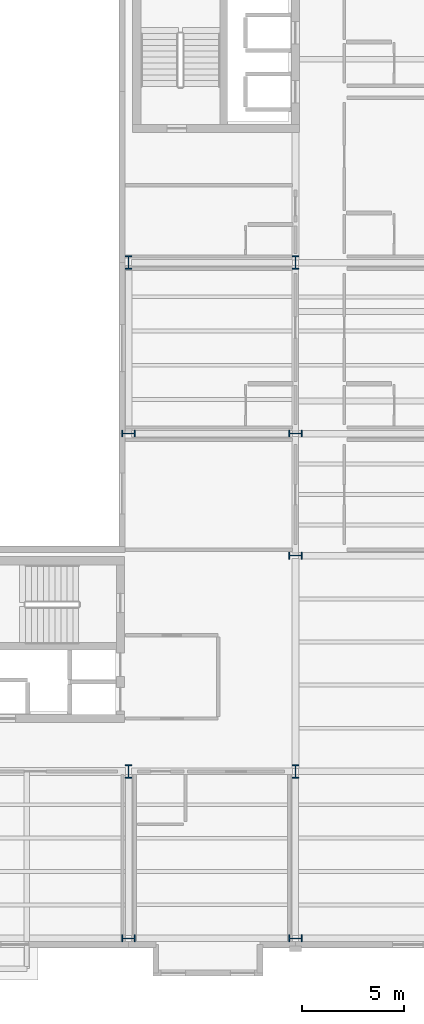
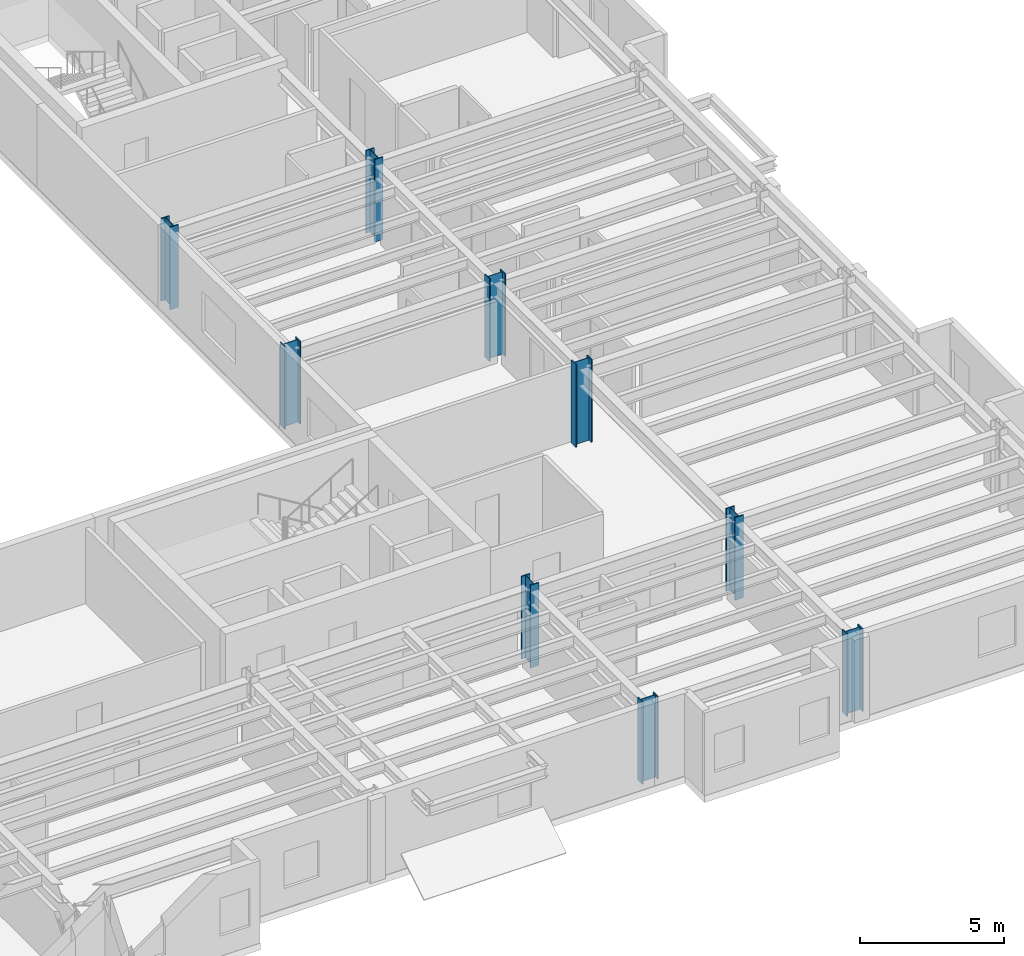
# One storey, part 2 of 23: 9 columns.
"""IFC4 building model written with IfcOpenShell, lengths in metres."""

import ifcopenshell
import ifcopenshell.guid

model = None  # the IFC model being written
_history = None  # IfcOwnerHistory: only IFC2X3 demands one
_inside = {}  # id of a spatial element -> (the spatial element, [elements in it])
_under = {}  # id of a project, library or spatial element -> (it, [spatial elements below it])
_declared = {}  # id of a project -> (the project, [libraries it declares])
_typed = {}  # id of a type object -> (the type object, [elements of that type])
_made_of = {}  # id of a material, layer set ... -> (it, [elements and type objects made of it])


def new_model(schema):
    """Start an empty IFC model of exactly this schema.

    Asked for "IFC4X3", IfcOpenShell would pick the latest addendum, in which some entities
    have other attributes; the version numbers below select the first issue.
    IFC2X3 requires an IfcOwnerHistory on every rooted entity: one is made here for all.
    """
    global model, _history
    if schema == "IFC4X3":
        model = ifcopenshell.file(schema_version=(4, 3, 0, 0))
    else:
        model = ifcopenshell.file(schema=schema)
    _inside.clear()
    _under.clear()
    _declared.clear()
    _typed.clear()
    _made_of.clear()
    _history = None
    if model.schema == "IFC2X3":
        org = make("IfcOrganization", Name="unknown")
        user = make(
            "IfcPersonAndOrganization",
            ThePerson=make("IfcPerson", FamilyName="unknown"),
            TheOrganization=org,
        )
        app = make(
            "IfcApplication",
            ApplicationDeveloper=org,
            Version="unknown",
            ApplicationFullName="unknown",
            ApplicationIdentifier="unknown",
        )
        _history = make(
            "IfcOwnerHistory",
            OwningUser=user,
            OwningApplication=app,
            ChangeAction="ADDED",
            CreationDate=0,
        )
    return model


def make(cls, **values):
    """One entity of the class cls with the attributes given. An attribute that is None is left unset."""
    return model.create_entity(
        cls, **{name: value for name, value in values.items() if value is not None}
    )


def rooted(cls, **values):
    """An entity with a GlobalId (a new one), such as an element, a storey or a relation."""
    return make(cls, GlobalId=ifcopenshell.guid.new(), OwnerHistory=_history, **values)


def si_unit(unit_type, name, prefix=None):
    """IfcSIUnit, for example si_unit("LENGTHUNIT", "METRE", prefix="MILLI")."""
    return make("IfcSIUnit", UnitType=unit_type, Prefix=prefix, Name=name)


def assignment(units):
    """IfcUnitAssignment: the units of a project."""
    return None if units is None else make("IfcUnitAssignment", Units=units)


def point(xyz):
    """IfcCartesianPoint."""
    return None if xyz is None else make("IfcCartesianPoint", Coordinates=xyz)


def direction(xyz):
    """IfcDirection."""
    return None if xyz is None else make("IfcDirection", DirectionRatios=xyz)


def frame(location, z_axis=None, x_axis=None):
    """IfcAxis2Placement3D, a coordinate frame: its origin and axes. An axis left out is left unset."""
    return make(
        "IfcAxis2Placement3D",
        Location=point(location),
        Axis=direction(z_axis),
        RefDirection=direction(x_axis),
    )


def frame_2d(location, x_axis=None):
    """IfcAxis2Placement2D, a coordinate frame in the plane: its origin and x axis."""
    return make(
        "IfcAxis2Placement2D", Location=point(location), RefDirection=direction(x_axis)
    )


def origin():
    """The frame at (0, 0, 0) with its axes left unset."""
    return frame((0.0, 0.0, 0.0))


def origin_2d():
    """The frame at (0, 0) in the plane with its x axis left unset."""
    return frame_2d((0.0, 0.0))


def place(relative_to, where):
    """IfcLocalPlacement: puts the frame where relative to a parent placement (None: the world)."""
    return make(
        "IfcLocalPlacement", PlacementRelTo=relative_to, RelativePlacement=where
    )


def context(
    kind, dimensions, precision=None, world=None, true_north=None, identifier=None
):
    """IfcGeometricRepresentationContext, for example the 3D "Model" context."""
    return make(
        "IfcGeometricRepresentationContext",
        ContextIdentifier=identifier,
        ContextType=kind,
        CoordinateSpaceDimension=dimensions,
        Precision=precision,
        WorldCoordinateSystem=world,
        TrueNorth=true_north,
    )


def subcontext(parent, identifier, kind, view, scale=None):
    """IfcGeometricRepresentationSubContext, for example "Body" below "Model"."""
    return make(
        "IfcGeometricRepresentationSubContext",
        ContextIdentifier=identifier,
        ContextType=kind,
        ParentContext=parent,
        TargetScale=scale,
        TargetView=view,
    )


def project(units=None, contexts=None):
    """IfcProject with its units and contexts."""
    return rooted(
        "IfcProject",
        Name="project",
        RepresentationContexts=contexts,
        UnitsInContext=assignment(units),
    )


def spatial(cls, under=None, at=None, **own):
    """A site, building, storey or space (cls), placed at a placement, below another one or the project."""
    s = rooted(cls, ObjectPlacement=at, **own)
    if under is not None:
        _under.setdefault(under.id(), (under, []))[1].append(s)
    return s


def profile(cls, at=None, kind="AREA", **sizes):
    """A parametric profile (cls). Its sizes go by their IFC names, for example OverallWidth=200.0."""
    return make(cls, ProfileType=kind, Position=at, **sizes)


def i_section(**sizes):
    """IfcIShapeProfileDef."""
    return profile("IfcIShapeProfileDef", **sizes)


def extrude(swept, where, along, depth):
    """IfcExtrudedAreaSolid: the profile swept, set in the frame where, extruded along a direction by depth."""
    return make(
        "IfcExtrudedAreaSolid",
        SweptArea=swept,
        Position=where,
        ExtrudedDirection=direction(along),
        Depth=depth,
    )


def shape(context_of_items, identifier, shape_type, items):
    """IfcShapeRepresentation: the items that make up one representation, for example the "Body"."""
    return make(
        "IfcShapeRepresentation",
        ContextOfItems=context_of_items,
        RepresentationIdentifier=identifier,
        RepresentationType=shape_type,
        Items=items,
    )


def material(Name=None, Category=None):
    """IfcMaterial."""
    return make("IfcMaterial", Name=Name, Category=Category)


def material_profile(
    of_material, cross_section, Name=None, Category=None, Priority=None
):
    """IfcMaterialProfile: a cross section and its material."""
    return make(
        "IfcMaterialProfile",
        Name=Name,
        Material=of_material,
        Profile=cross_section,
        Priority=Priority,
        Category=Category,
    )


def profile_set(profiles, Name=None, composite=None):
    """IfcMaterialProfileSet."""
    return make(
        "IfcMaterialProfileSet",
        Name=Name,
        MaterialProfiles=profiles,
        CompositeProfile=composite,
    )


def made_of(thing, what):
    """Note that an element or type object is made of a material, layer set ...; save() writes the relation."""
    if what is not None:
        _made_of.setdefault(what.id(), (what, []))[1].append(thing)
    return thing


def type_object(cls, material=None, **own):
    """A type object (cls), such as IfcWallType, which elements share."""
    return made_of(rooted(cls, **own), material)


def element(
    cls,
    number,
    at=None,
    inside=None,
    cuts=None,
    type_object=None,
    material=None,
    context=None,
    identifier="Body",
    shape_type=None,
    held_by="IfcProductDefinitionShape",
    body=None,
    shapes=None,
    **own,
):
    """One element of the class cls, such as IfcWall. Its Tag is "e" and its number.

    at: its placement. inside: the storey or other place that contains it. cuts: it is an
    opening in that element (IfcRelVoidsElement). A single representation is given by context,
    identifier, shape_type and body (its items); several are given by shapes. held_by: the class
    of the entity that holds the representations. save() writes the other relations.
    """
    e = rooted(cls, Tag="e%d" % number, ObjectPlacement=at, **own)
    if body is not None:
        shapes = [shape(context, identifier, shape_type, body)]
    if shapes is not None:
        e.Representation = make(held_by, Representations=shapes)
    if inside is not None:
        _inside.setdefault(inside.id(), (inside, []))[1].append(e)
    if cuts is not None:
        rooted(
            "IfcRelVoidsElement", RelatingBuildingElement=cuts, RelatedOpeningElement=e
        )
    if type_object is not None:
        _typed.setdefault(type_object.id(), (type_object, []))[1].append(e)
    return made_of(e, material)


def aggregate(whole, parts):
    """IfcRelAggregates: a whole, such as a stair, and the parts it consists of."""
    return rooted("IfcRelAggregates", RelatingObject=whole, RelatedObjects=parts)


def save(model, path):
    """Write the relations noted so far, then the file.

    IfcRelAggregates (storeys below a building ...), IfcRelContainedInSpatialStructure (elements
    in a storey), IfcRelDefinesByType, IfcRelAssociatesMaterial and IfcRelDeclares: one each for
    every whole, place, type object, material and project.
    """
    for whole, parts in _under.values():
        aggregate(whole, parts)
    for where, things in _inside.values():
        rooted(
            "IfcRelContainedInSpatialStructure",
            RelatedElements=things,
            RelatingStructure=where,
        )
    for kind, things in _typed.values():
        rooted("IfcRelDefinesByType", RelatedObjects=things, RelatingType=kind)
    for what, things in _made_of.values():
        rooted("IfcRelAssociatesMaterial", RelatedObjects=things, RelatingMaterial=what)
    for by, libraries in _declared.values():
        rooted("IfcRelDeclares", RelatingContext=by, RelatedDefinitions=libraries)
    model.write(path)


model = new_model("IFC4")

# Units and contexts
model_context = context("Model", 3, precision=1e-05, world=origin(), true_north=direction((0.0, 1.0)))
body_context = subcontext(model_context, "Body", "Model", "MODEL_VIEW")
ifc_project = project(units=[si_unit("LENGTHUNIT", "METRE"), si_unit("AREAUNIT", "SQUARE_METRE"), si_unit("VOLUMEUNIT", "CUBIC_METRE"), si_unit("PLANEANGLEUNIT", "RADIAN"), si_unit("MASSUNIT", "GRAM", prefix="KILO")], contexts=[model_context])

# Site, building, storey
site_placement = place(None, origin())
site = spatial("IfcSite", under=ifc_project, at=site_placement, CompositionType="ELEMENT")
building_placement = place(site_placement, origin())
building = spatial("IfcBuilding", under=site, at=building_placement, Name="Sollismere Congress Hotel", CompositionType="ELEMENT")
storey_placement = place(building_placement, frame((0.0, 0.0, 30.60009765625)))
storey = spatial("IfcBuildingStorey", under=building, at=storey_placement, Name="L07", CompositionType="ELEMENT", Elevation=30.60009765625)

# Columns
ifc_material = material(Name="Steel ASTM A992 Grade 50", Category="steel")
ifc_material_profile = material_profile(ifc_material, i_section(OverallWidth=0.3330078125, OverallDepth=0.659912109375, WebThickness=0.0244140625, FlangeThickness=0.0439453125, at=origin_2d()), Name="W24X229")
ifc_profile_set = profile_set([ifc_material_profile], Name="Steel ASTM A992 Grade 50")
column_type = type_object("IfcColumnType", Name="COL-W24", PredefinedType="COLUMN", material=ifc_profile_set)
for number, where, z_axis, x_axis, name in (
    (1, (147.199951171875, 0.0, 0.0), (0.0, 0.0, 1.0), (0.0, 1.0, 0.0), "Column CL-L07-788"),
    (2, (147.199951171875, 8.199951171875, 0.0), (0.0, 0.0, 1.0), (1.0, 0.0, 0.0), "Column CL-L07-801"),
    (3, (147.199951171875, 24.800048828125, 0.0), (0.0, 0.0, 1.0), (0.0, 1.0, 0.0), "Column CL-L07-814"),
    (4, (147.199951171875, 33.199951171875, 0.0), (0.0, 0.0, 1.0), (1.0, 0.0, 0.0), "Column CL-L07-827"),
    (5, (155.39990234375, 0.0, 0.0), (0.0, 0.0, 1.0), (0.0, 1.0, 0.0), "Column CL-L07-863"),
    (6, (155.39990234375, 8.199951171875, 0.0), (0.0, 0.0, 1.0), (1.0, 0.0, 0.0), "Column CL-L07-876"),
    (7, (155.39990234375, 18.800048828125, 0.0), (0.0, 0.0, 1.0), (0.0, 1.0, 0.0), "Column CL-L07-889"),
    (8, (155.39990234375, 24.800048828125, 0.0), (0.0, 0.0, 1.0), (0.0, 1.0, 0.0), "Column CL-L07-902"),
    (9, (155.39990234375, 33.199951171875, 0.0), (0.0, 0.0, 1.0), (1.0, 0.0, 0.0), "Column CL-L07-915"),
):
    element("IfcColumn", number, at=place(storey_placement, frame(where, z_axis=z_axis, x_axis=x_axis)), inside=storey, type_object=column_type, Name=name, PredefinedType="COLUMN", context=body_context, shape_type="SweptSolid", body=[
        extrude(i_section(OverallWidth=0.3330078125, OverallDepth=0.659912109375, WebThickness=0.0244140625, FlangeThickness=0.0439453125, at=origin_2d()), origin(), (0.0, 0.0, 1.0), 3.5),
    ])

save(model, "model.ifc")
